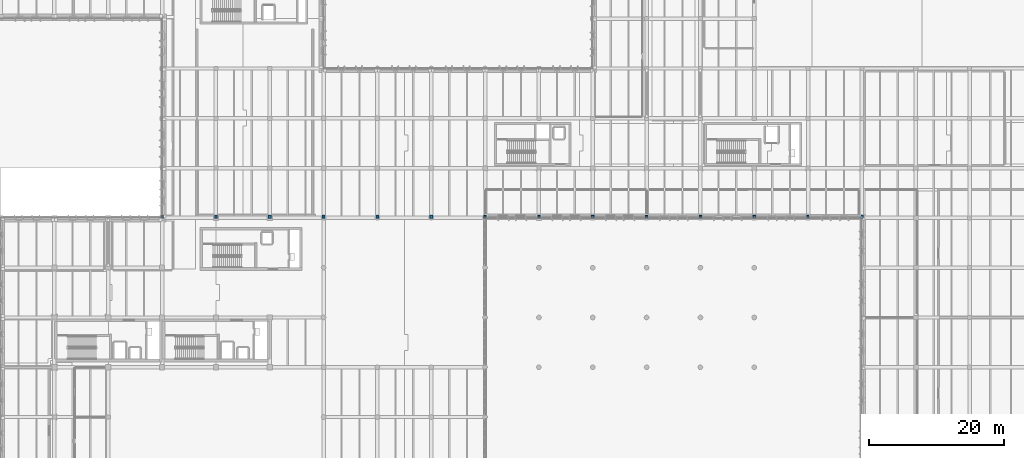
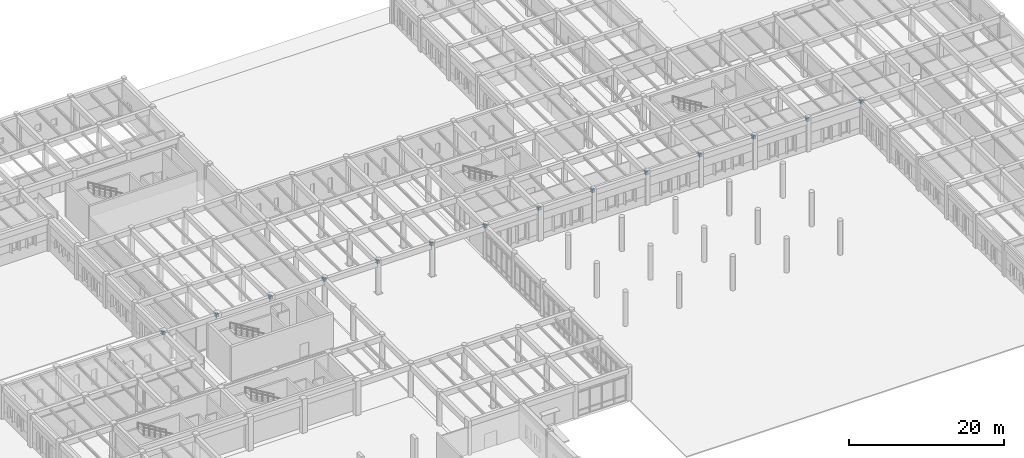
# One storey, part 32 of 56: 28 discrete accessories.
"""IFC4 building model written with IfcOpenShell, lengths in metres."""

from ifc_helpers import new_model, si_unit, direction, frame, origin, origin_2d, place, context, subcontext, project, spatial, rectangle, extrude, material, type_object, element, save


model = new_model("IFC4")

# Units and contexts
model_context = context("Model", 3, precision=1e-05, world=origin(), true_north=direction((0.0, 1.0)))
body_context = subcontext(model_context, "Body", "Model", "MODEL_VIEW")
ifc_project = project(units=[si_unit("LENGTHUNIT", "METRE"), si_unit("AREAUNIT", "SQUARE_METRE"), si_unit("VOLUMEUNIT", "CUBIC_METRE"), si_unit("PLANEANGLEUNIT", "RADIAN"), si_unit("MASSUNIT", "GRAM", prefix="KILO")], contexts=[model_context])

# Site, building, storey
site_placement = place(None, origin())
site = spatial("IfcSite", under=ifc_project, at=site_placement, CompositionType="ELEMENT")
building_placement = place(site_placement, origin())
building = spatial("IfcBuilding", under=site, at=building_placement, Name="Valkorina Park Police Headquarters", CompositionType="ELEMENT")
storey_placement = place(building_placement, origin())
storey = spatial("IfcBuildingStorey", under=building, at=storey_placement, Name="L01", CompositionType="ELEMENT", Elevation=0.0)

# Discrete accessories
ifc_material_1 = material(Name="Stainless steel EN 1.4404", Category="steel")
discrete_accessory_type_1 = type_object("IfcDiscreteAccessoryType", Name="ACC-BEARING-PTFE", PredefinedType="SHOE", material=ifc_material_1)
for number, where, z_axis, x_axis, name in (
    (1, (32.800048828125, 59.360107421875, 5.080078125), (0.0, 0.0, 1.0), (1.0, 0.0, 0.0), "Unguided PTFE Movement Joint Bearing MJ-01 #1"),
    (2, (40.800048828125, 59.360107421875, 5.080078125), (0.0, 0.0, 1.0), (1.0, 0.0, 0.0), "Unguided PTFE Movement Joint Bearing MJ-01 #2"),
    (3, (48.800048828125, 59.360107421875, 5.080078125), (0.0, 0.0, 1.0), (1.0, 0.0, 0.0), "Unguided PTFE Movement Joint Bearing MJ-01 #3"),
    (4, (56.800048828125, 59.360107421875, 5.080078125), (0.0, 0.0, 1.0), (1.0, 0.0, 0.0), "Unguided PTFE Movement Joint Bearing MJ-01 #4"),
    (5, (64.800048828125, 59.360107421875, 5.080078125), (0.0, 0.0, 1.0), (1.0, 0.0, 0.0), "Unguided PTFE Movement Joint Bearing MJ-01 #5"),
    (6, (72.800048828125, 59.360107421875, 5.080078125), (0.0, 0.0, 1.0), (1.0, 0.0, 0.0), "Unguided PTFE Movement Joint Bearing MJ-01 #6"),
    (7, (80.800048828125, 59.360107421875, 5.080078125), (0.0, 0.0, 1.0), (1.0, 0.0, 0.0), "Unguided PTFE Movement Joint Bearing MJ-01 #7"),
    (8, (88.800048828125, 59.360107421875, 5.080078125), (0.0, 0.0, 1.0), (1.0, 0.0, 0.0), "Unguided PTFE Movement Joint Bearing MJ-01 #8"),
    (9, (96.800048828125, 59.360107421875, 5.080078125), (0.0, 0.0, 1.0), (1.0, 0.0, 0.0), "Unguided PTFE Movement Joint Bearing MJ-01 #9"),
    (10, (104.800048828125, 59.360107421875, 5.080078125), (0.0, 0.0, 1.0), (1.0, 0.0, 0.0), "Unguided PTFE Movement Joint Bearing MJ-01 #10"),
    (11, (112.800048828125, 59.360107421875, 5.080078125), (0.0, 0.0, 1.0), (1.0, 0.0, 0.0), "Unguided PTFE Movement Joint Bearing MJ-01 #11"),
    (12, (120.800048828125, 59.360107421875, 5.080078125), (0.0, 0.0, 1.0), (1.0, 0.0, 0.0), "Unguided PTFE Movement Joint Bearing MJ-01 #12"),
    (13, (128.800048828125, 59.360107421875, 5.080078125), (0.0, 0.0, 1.0), (1.0, 0.0, 0.0), "Unguided PTFE Movement Joint Bearing MJ-01 #13"),
    (14, (136.800048828125, 59.360107421875, 5.080078125), (0.0, 0.0, 1.0), (1.0, 0.0, 0.0), "Unguided PTFE Movement Joint Bearing MJ-01 #14"),
):
    element("IfcDiscreteAccessory", number, at=place(storey_placement, frame(where, z_axis=z_axis, x_axis=x_axis)), inside=storey, type_object=discrete_accessory_type_1, Name=name, PredefinedType="SHOE", context=body_context, shape_type="SweptSolid", body=[
        extrude(rectangle(XDim=0.260009765625, YDim=0.47998046875, at=origin_2d()), origin(), (0.0, 0.0, 1.0), 0.06005859375),
    ])
ifc_material_2 = material(Name="Concrete C40/50", Category="concrete")
discrete_accessory_type_2 = type_object("IfcDiscreteAccessoryType", Name="ACC-CORBEL-RC-480", PredefinedType="BRACKET", material=ifc_material_2)
for number, where, z_axis, x_axis, name in (
    (15, (32.800048828125, 59.360107421875, 4.6298828125), (0.0, 0.0, 1.0), (1.0, 0.0, 0.0), "Grid J 480 mm RC Movement-Joint Corbel #1"),
    (16, (40.800048828125, 59.360107421875, 4.6298828125), (0.0, 0.0, 1.0), (1.0, 0.0, 0.0), "Grid J 480 mm RC Movement-Joint Corbel #2"),
    (17, (48.800048828125, 59.360107421875, 4.6298828125), (0.0, 0.0, 1.0), (1.0, 0.0, 0.0), "Grid J 480 mm RC Movement-Joint Corbel #3"),
    (18, (56.800048828125, 59.360107421875, 4.6298828125), (0.0, 0.0, 1.0), (1.0, 0.0, 0.0), "Grid J 480 mm RC Movement-Joint Corbel #4"),
    (19, (64.800048828125, 59.360107421875, 4.6298828125), (0.0, 0.0, 1.0), (1.0, 0.0, 0.0), "Grid J 480 mm RC Movement-Joint Corbel #5"),
    (20, (72.800048828125, 59.360107421875, 4.6298828125), (0.0, 0.0, 1.0), (1.0, 0.0, 0.0), "Grid J 480 mm RC Movement-Joint Corbel #6"),
    (21, (80.800048828125, 59.360107421875, 4.6298828125), (0.0, 0.0, 1.0), (1.0, 0.0, 0.0), "Grid J 480 mm RC Movement-Joint Corbel #7"),
    (22, (88.800048828125, 59.360107421875, 4.6298828125), (0.0, 0.0, 1.0), (1.0, 0.0, 0.0), "Grid J 480 mm RC Movement-Joint Corbel #8"),
    (23, (96.800048828125, 59.360107421875, 4.6298828125), (0.0, 0.0, 1.0), (1.0, 0.0, 0.0), "Grid J 480 mm RC Movement-Joint Corbel #9"),
    (24, (104.800048828125, 59.360107421875, 4.6298828125), (0.0, 0.0, 1.0), (1.0, 0.0, 0.0), "Grid J 480 mm RC Movement-Joint Corbel #10"),
    (25, (112.800048828125, 59.360107421875, 4.6298828125), (0.0, 0.0, 1.0), (1.0, 0.0, 0.0), "Grid J 480 mm RC Movement-Joint Corbel #11"),
    (26, (120.800048828125, 59.360107421875, 4.6298828125), (0.0, 0.0, 1.0), (1.0, 0.0, 0.0), "Grid J 480 mm RC Movement-Joint Corbel #12"),
    (27, (128.800048828125, 59.360107421875, 4.6298828125), (0.0, 0.0, 1.0), (1.0, 0.0, 0.0), "Grid J 480 mm RC Movement-Joint Corbel #13"),
    (28, (136.800048828125, 59.360107421875, 4.6298828125), (0.0, 0.0, 1.0), (1.0, 0.0, 0.0), "Grid J 480 mm RC Movement-Joint Corbel #14"),
):
    element("IfcDiscreteAccessory", number, at=place(storey_placement, frame(where, z_axis=z_axis, x_axis=x_axis)), inside=storey, type_object=discrete_accessory_type_2, Name=name, PredefinedType="BRACKET", context=body_context, shape_type="SweptSolid", body=[
        extrude(rectangle(XDim=0.449951171875, YDim=0.47998046875, at=origin_2d()), origin(), (0.0, 0.0, 1.0), 0.449951171875),
    ])

save(model, "model.ifc")
